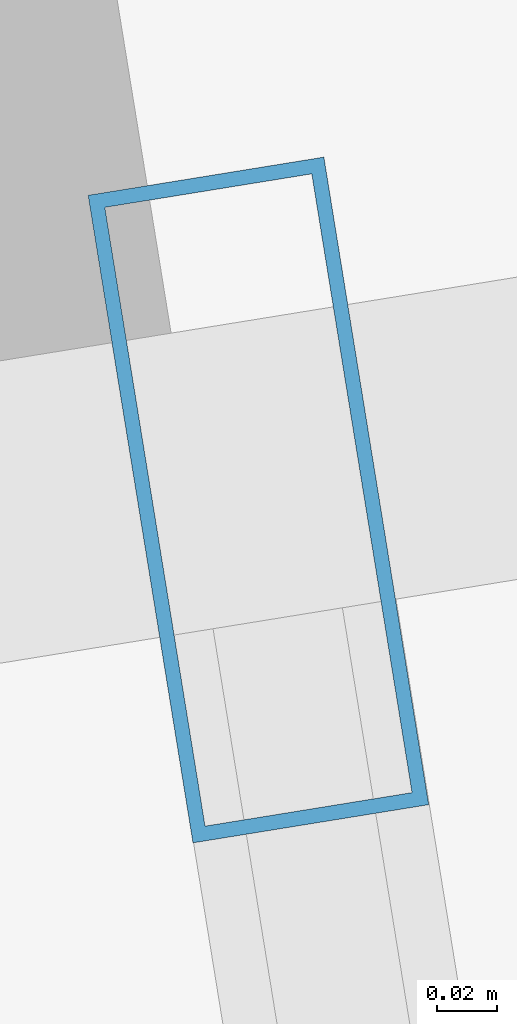
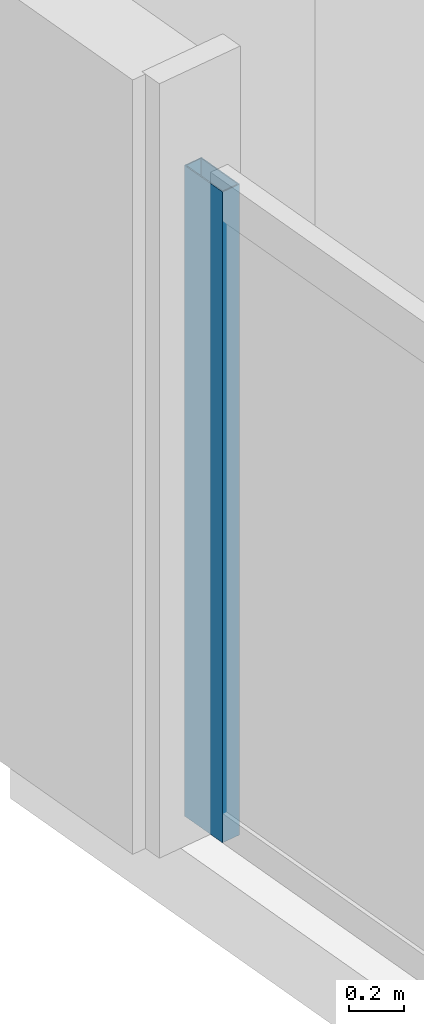
# One storey, part 16 of 33: 1 member, 1 element without a shape of its own.
"""IFC4 building model written with IfcOpenShell, lengths in metres."""

from ifc_helpers import new_model, si_unit, direction, frame, origin, origin_2d, place, context, subcontext, project, spatial, hollow_rectangle, extrude, material, material_profile, profile_set, type_object, element, aggregate, save


model = new_model("IFC4")

# Units and contexts
model_context = context("Model", 3, precision=1e-05, world=origin(), true_north=direction((0.0, 1.0)))
body_context = subcontext(model_context, "Body", "Model", "MODEL_VIEW")
ifc_project = project(units=[si_unit("LENGTHUNIT", "METRE"), si_unit("AREAUNIT", "SQUARE_METRE"), si_unit("VOLUMEUNIT", "CUBIC_METRE"), si_unit("PLANEANGLEUNIT", "RADIAN"), si_unit("MASSUNIT", "GRAM", prefix="KILO")], contexts=[model_context])

# Site, building, storey
site_placement = place(None, origin())
site = spatial("IfcSite", under=ifc_project, at=site_placement, CompositionType="ELEMENT")
building_placement = place(site_placement, origin())
building = spatial("IfcBuilding", under=site, at=building_placement, Name="Haldenkirk Collegiate Tower", CompositionType="ELEMENT")
storey_placement = place(building_placement, frame((0.0, 0.0, 58.949951171875)))
storey = spatial("IfcBuildingStorey", under=building, at=storey_placement, Name="L13", CompositionType="ELEMENT", Elevation=58.949951171875)

# Curtain wall, member
ifc_material = material(Name="Anodised architectural bronze aluminium", Category="aluminium")
curtain_wall_type = type_object("IfcCurtainWallType", Name="CW-SYS1-CONVEX-LOW", PredefinedType="USERDEFINED", material=ifc_material)
curtain_wall_placement = place(storey_placement, origin())
curtain_wall = element("IfcCurtainWall", 1, at=curtain_wall_placement, inside=storey, type_object=curtain_wall_type, Name="L13 Lower tower convex bronze-framed unitised curtain wall", ObjectType="UNITISED CURTAIN WALL", PredefinedType="USERDEFINED")
ifc_material_profile = material_profile(ifc_material, hollow_rectangle(XDim=0.080078125, YDim=0.219970703125, WallThickness=0.0048828125, at=origin_2d()), Name="CW-MUL-1A")
ifc_profile_set = profile_set([ifc_material_profile], Name="Anodised architectural bronze aluminium")
member_type = type_object("IfcMemberType", Name="CW-MUL-1A", PredefinedType="MULLION", material=ifc_profile_set)
member_placement = place(storey_placement, frame((6.59130859375, 42.01416015625, 0.0), z_axis=(0.0, 0.0, 1.0), x_axis=(-0.987136314905, -0.15988088002, 0.0)))
member = element("IfcMember", 2, at=member_placement, type_object=member_type, Name="CW-1A mullion 5", PredefinedType="MULLION", context=body_context, shape_type="SweptSolid", body=[
    extrude(hollow_rectangle(XDim=0.080078125, YDim=0.219970703125, WallThickness=0.0048828125, at=origin_2d()), origin(), (0.0, 0.0, 1.0), 2.89111328125),
])
aggregate(curtain_wall, [member])

save(model, "model.ifc")
